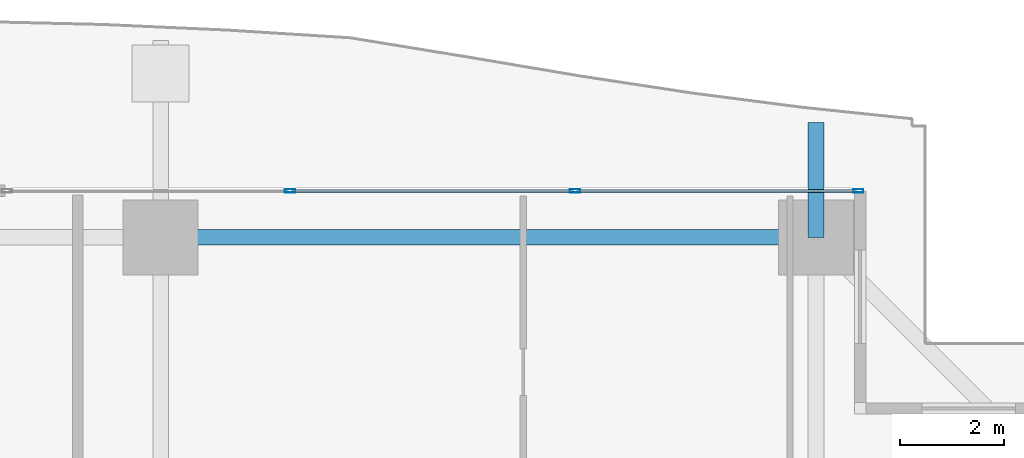
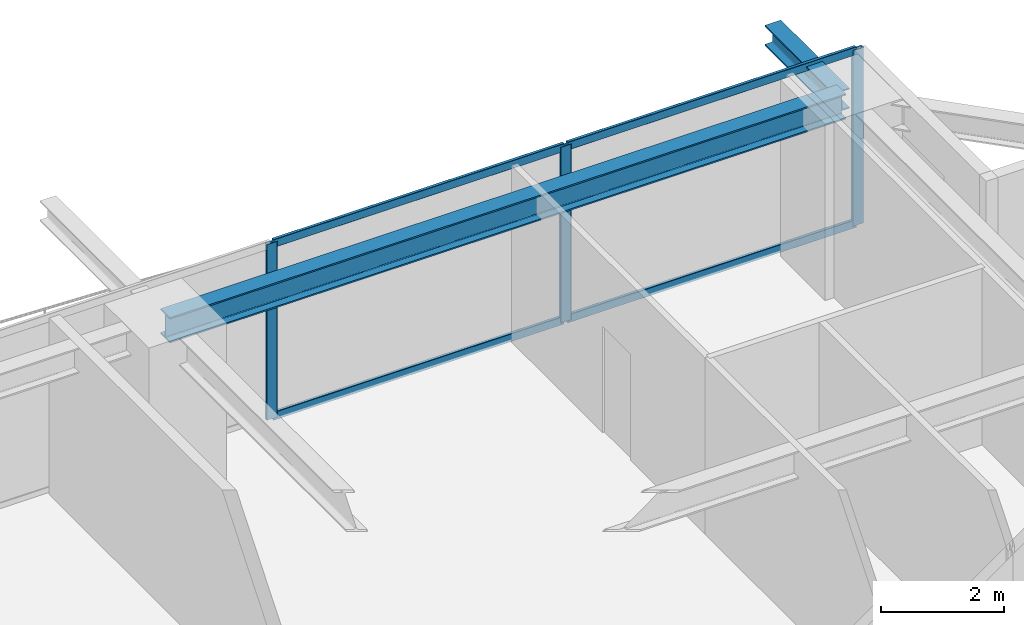
# One storey, part 25 of 38: 7 members, 2 beams, 1 element without a shape of its own.
"""IFC4 building model written with IfcOpenShell, lengths in metres."""

from ifc_helpers import new_model, si_unit, direction, frame, origin, origin_2d, place, context, subcontext, project, spatial, hollow_rectangle, i_section, extrude, source, transform, mapped, material, layer, layer_set, material_profile, profile_set, type_object, element, aggregate, save


model = new_model("IFC4")

# Units and contexts
model_context = context("Model", 3, precision=1e-05, world=origin(), true_north=direction((0.0, 1.0)))
body_context = subcontext(model_context, "Body", "Model", "MODEL_VIEW")
ifc_project = project(units=[si_unit("LENGTHUNIT", "METRE"), si_unit("AREAUNIT", "SQUARE_METRE"), si_unit("VOLUMEUNIT", "CUBIC_METRE"), si_unit("PLANEANGLEUNIT", "RADIAN"), si_unit("MASSUNIT", "GRAM", prefix="KILO")], contexts=[model_context])

# Site, building, storey
site_placement = place(None, origin())
site = spatial("IfcSite", under=ifc_project, at=site_placement, CompositionType="ELEMENT")
building_placement = place(site_placement, origin())
building = spatial("IfcBuilding", under=site, at=building_placement, Name="Serunith Strait Residences", CompositionType="ELEMENT")
storey_placement = place(building_placement, frame((0.0, 0.0, 37.949951171875)))
storey = spatial("IfcBuildingStorey", under=building, at=storey_placement, Name="L08", CompositionType="ELEMENT", Elevation=37.949951171875)

# Beams
ifc_material_1 = material(Name="Steel S355J2", Category="steel")
ifc_material_profile_1 = material_profile(ifc_material_1, i_section(OverallWidth=0.300048828125, OverallDepth=0.5, WebThickness=0.014404296875, FlangeThickness=0.028076171875, FilletRadius=0.027099609375, at=origin_2d()), Name="HEB 500")
ifc_profile_set_1 = profile_set([ifc_material_profile_1], Name="Steel S355J2")
beam_type_1 = type_object("IfcBeamType", Name="BM-HEB500", PredefinedType="BEAM", material=ifc_profile_set_1)
shared_shape_1 = source(origin(), body_context, "Body", "SweptSolid", [
    extrude(i_section(OverallWidth=0.300048828125, OverallDepth=0.5, WebThickness=0.014404296875, FlangeThickness=0.028076171875, FilletRadius=0.027099609375, at=origin_2d()), origin(), (0.0, 0.0, 1.0), 12.650146484375),
])
beam_1_placement = place(storey_placement, frame((49.550048828125, 49.300048828125, 3.237060546875), z_axis=(-1.0, 0.0, 0.0), x_axis=(0.0, -1.0, 0.0)))
element("IfcBeam", 1, at=beam_1_placement, inside=storey, type_object=beam_type_1, Name="L08 Perimeter Ring Beam 09", PredefinedType="BEAM", context=body_context, shape_type="MappedRepresentation", body=[
    mapped(shared_shape_1, transform((0.0, 0.0, 0.0), scale=1.0)),
])
ifc_material_profile_2 = material_profile(ifc_material_1, i_section(OverallWidth=0.300048828125, OverallDepth=0.39990234375, WebThickness=0.013427734375, FlangeThickness=0.02392578125, FilletRadius=0.027099609375, at=origin_2d()), Name="HEB 400")
ifc_profile_set_2 = profile_set([ifc_material_profile_2], Name="Steel S355J2")
beam_type_2 = type_object("IfcBeamType", Name="BM-HEB400", PredefinedType="BEAM", material=ifc_profile_set_2)
shared_shape_2 = source(origin(), body_context, "Body", "SweptSolid", [
    extrude(i_section(OverallWidth=0.300048828125, OverallDepth=0.39990234375, WebThickness=0.013427734375, FlangeThickness=0.02392578125, FilletRadius=0.027099609375, at=origin_2d()), origin(), (0.0, 0.0, 1.0), 2.22119140625),
])
beam_2_placement = place(storey_placement, frame((49.550048828125, 49.300048828125, 3.257080078125), z_axis=(0.0, 1.0, 0.0), x_axis=(-1.0, 0.0, 0.0)))
element("IfcBeam", 2, at=beam_2_placement, inside=storey, type_object=beam_type_2, Name="L09 Cantilevered Balcony Rib TC-N4", PredefinedType="BEAM", context=body_context, shape_type="MappedRepresentation", body=[
    mapped(shared_shape_2, transform((0.0, 0.0, 0.0), scale=1.0)),
])

# Curtain wall, members
ifc_material_2 = material(Name="Pale-Champagne Anodised Aluminium", Category="aluminium")
ifc_layer = layer(ifc_material_2, 0.199951171875, Name="Pale-Champagne Anodised Aluminium")
ifc_layer_set = layer_set([ifc_layer], Name="Pale-Champagne Anodised Aluminium")
curtain_wall_type = type_object("IfcCurtainWallType", Name="CW-SYS1", PredefinedType="NOTDEFINED", material=ifc_layer_set)
curtain_wall_placement = place(storey_placement, origin())
curtain_wall = element("IfcCurtainWall", 3, at=curtain_wall_placement, inside=storey, type_object=curtain_wall_type, Name="L08 N Unitised Fritted Curtain Wall", PredefinedType="NOTDEFINED")
ifc_material_profile_3 = material_profile(ifc_material_2, hollow_rectangle(XDim=0.070068359375, YDim=0.199951171875, WallThickness=0.00390625, InnerFilletRadius=0.006103515625, OuterFilletRadius=0.010009765625, at=origin_2d()), Name="ALU 200x70x4")
ifc_profile_set_3 = profile_set([ifc_material_profile_3], Name="Pale-Champagne Anodised Aluminium")
member_type_1 = type_object("IfcMemberType", Name="CW-SYS1-MULL", PredefinedType="MULLION", material=ifc_profile_set_3)
shared_shape_3 = source(origin(), body_context, "Body", "SweptSolid", [
    extrude(hollow_rectangle(XDim=0.070068359375, YDim=0.199951171875, WallThickness=0.00390625, InnerFilletRadius=0.006103515625, OuterFilletRadius=0.010009765625, at=origin_2d()), origin(), (0.0, 0.0, 1.0), 3.47509765625),
])
member_1_placement = place(storey_placement, frame((50.364990234375, 50.199951171875, 0.0), z_axis=(0.0, 0.0, 1.0), x_axis=(0.0, -1.0, 0.0)))
member_1 = element("IfcMember", 4, at=member_1_placement, type_object=member_type_1, Name="CW-1 mullion 1", PredefinedType="MULLION", context=body_context, shape_type="MappedRepresentation", body=[
    mapped(shared_shape_3, transform((0.0, 0.0, 0.0), scale=1.0)),
])
member_2_placement = place(storey_placement, frame((44.89990234375, 50.199951171875, 0.0), z_axis=(0.0, 0.0, 1.0), x_axis=(0.0, -1.0, 0.0)))
member_2 = element("IfcMember", 5, at=member_2_placement, type_object=member_type_1, Name="CW-1 mullion 2", PredefinedType="MULLION", context=body_context, shape_type="MappedRepresentation", body=[
    mapped(shared_shape_3, transform((0.0, 0.0, 0.0), scale=1.0)),
])
member_3_placement = place(storey_placement, frame((39.39990234375, 50.199951171875, 0.0), z_axis=(0.0, 0.0, 1.0), x_axis=(0.0, -1.0, 0.0)))
member_3 = element("IfcMember", 6, at=member_3_placement, type_object=member_type_1, Name="CW-1 mullion 3", PredefinedType="MULLION", context=body_context, shape_type="MappedRepresentation", body=[
    mapped(shared_shape_3, transform((0.0, 0.0, 0.0), scale=1.0)),
])
ifc_material_profile_4 = material_profile(ifc_material_2, hollow_rectangle(XDim=0.06005859375, YDim=0.159912109375, WallThickness=0.00341796875, InnerFilletRadius=0.00537109375, OuterFilletRadius=0.0087890625, at=origin_2d()), Name="ALU 160x60x3.5")
ifc_profile_set_4 = profile_set([ifc_material_profile_4], Name="Pale-Champagne Anodised Aluminium")
member_type_2 = type_object("IfcMemberType", Name="CW-SYS1-TRAN", PredefinedType="USERDEFINED", material=ifc_profile_set_4)
shared_shape_4 = source(origin(), body_context, "Body", "SweptSolid", [
    extrude(hollow_rectangle(XDim=0.06005859375, YDim=0.159912109375, WallThickness=0.00341796875, InnerFilletRadius=0.00537109375, OuterFilletRadius=0.0087890625, at=origin_2d()), origin(), (0.0, 0.0, 1.0), 5.39501953125),
])
member_4_placement = place(storey_placement, frame((50.330078125, 50.199951171875, 0.030029296875), z_axis=(-1.0, 0.0, 0.0), x_axis=(0.0, -1.0, 0.0)))
member_4 = element("IfcMember", 7, at=member_4_placement, type_object=member_type_2, Name="CW-1 transom 1.1", ObjectType="TRANSOM", PredefinedType="USERDEFINED", context=body_context, shape_type="MappedRepresentation", body=[
    mapped(shared_shape_4, transform((0.0, 0.0, 0.0), scale=1.0)),
])
member_5_placement = place(storey_placement, frame((50.330078125, 50.199951171875, 3.445068359375), z_axis=(-1.0, 0.0, 0.0), x_axis=(0.0, -1.0, 0.0)))
member_5 = element("IfcMember", 8, at=member_5_placement, type_object=member_type_2, Name="CW-1 transom 1.2", ObjectType="TRANSOM", PredefinedType="USERDEFINED", context=body_context, shape_type="MappedRepresentation", body=[
    mapped(shared_shape_4, transform((0.0, 0.0, 0.0), scale=1.0)),
])
shared_shape_5 = source(origin(), body_context, "Body", "SweptSolid", [
    extrude(hollow_rectangle(XDim=0.06005859375, YDim=0.159912109375, WallThickness=0.00341796875, InnerFilletRadius=0.00537109375, OuterFilletRadius=0.0087890625, at=origin_2d()), origin(), (0.0, 0.0, 1.0), 5.429931640625),
])
member_6_placement = place(storey_placement, frame((44.864990234375, 50.199951171875, 0.030029296875), z_axis=(-1.0, 0.0, 0.0), x_axis=(0.0, -1.0, 0.0)))
member_6 = element("IfcMember", 9, at=member_6_placement, type_object=member_type_2, Name="CW-1 transom 2.1", ObjectType="TRANSOM", PredefinedType="USERDEFINED", context=body_context, shape_type="MappedRepresentation", body=[
    mapped(shared_shape_5, transform((0.0, 0.0, 0.0), scale=1.0)),
])
member_7_placement = place(storey_placement, frame((44.864990234375, 50.199951171875, 3.445068359375), z_axis=(-1.0, 0.0, 0.0), x_axis=(0.0, -1.0, 0.0)))
member_7 = element("IfcMember", 10, at=member_7_placement, type_object=member_type_2, Name="CW-1 transom 2.2", ObjectType="TRANSOM", PredefinedType="USERDEFINED", context=body_context, shape_type="MappedRepresentation", body=[
    mapped(shared_shape_5, transform((0.0, 0.0, 0.0), scale=1.0)),
])
aggregate(curtain_wall, [member_1, member_2, member_3, member_4, member_5, member_6, member_7])

save(model, "model.ifc")
